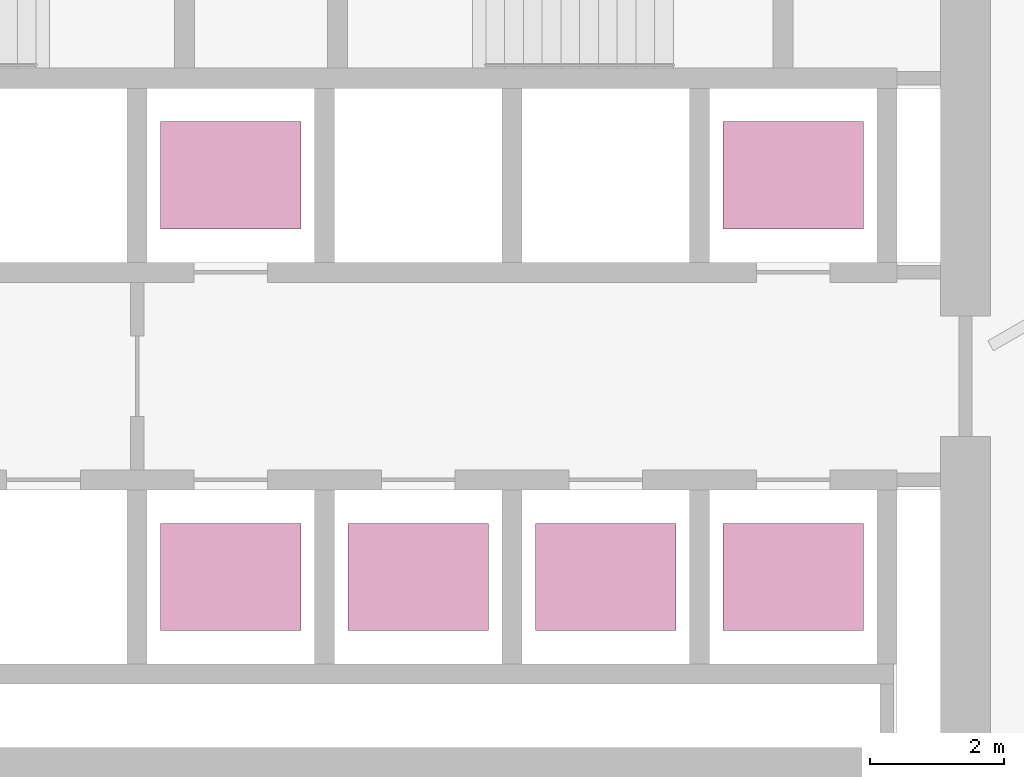
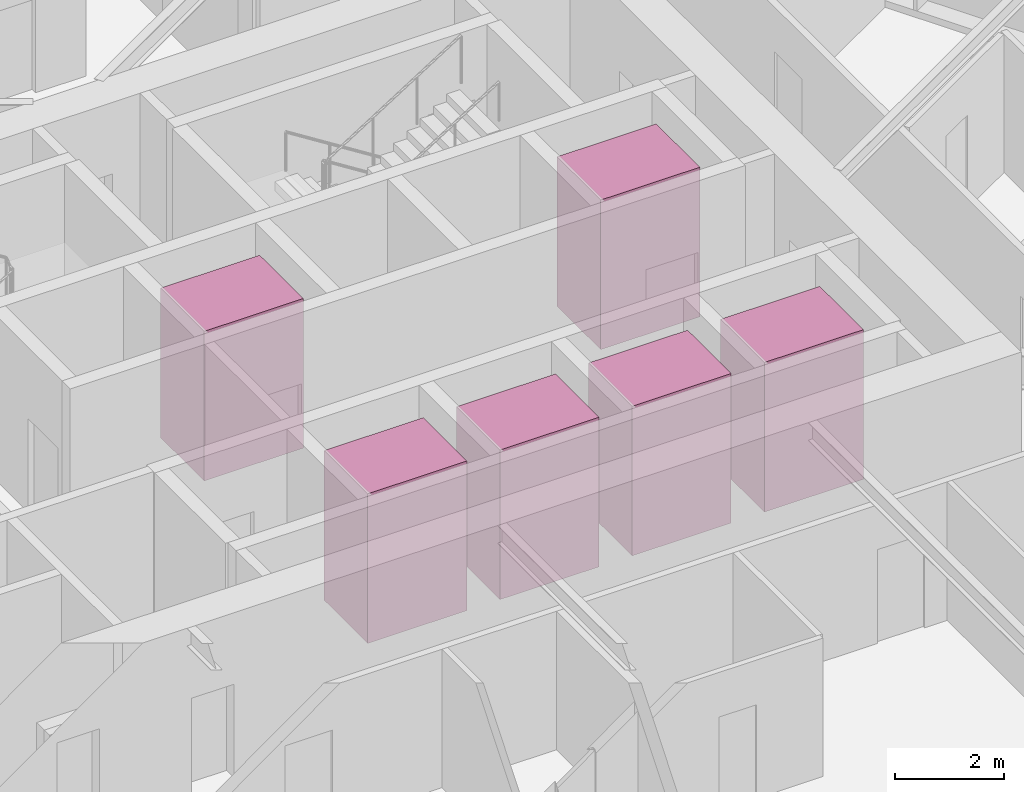
# One storey, part 16 of 16: 6 transport elements.
"""IFC4 building model written with IfcOpenShell, lengths in metres."""

from ifc_helpers import new_model, si_unit, direction, frame, origin, origin_2d, place, context, subcontext, project, spatial, rectangle, extrude, material, type_object, element, save


model = new_model("IFC4")

# Units and contexts
model_context = context("Model", 3, precision=1e-05, world=origin(), true_north=direction((0.0, 1.0)))
body_context = subcontext(model_context, "Body", "Model", "MODEL_VIEW")
ifc_project = project(units=[si_unit("LENGTHUNIT", "METRE"), si_unit("AREAUNIT", "SQUARE_METRE"), si_unit("VOLUMEUNIT", "CUBIC_METRE"), si_unit("PLANEANGLEUNIT", "RADIAN"), si_unit("MASSUNIT", "GRAM", prefix="KILO")], contexts=[model_context])

# Site, building, storey
site_placement = place(None, origin())
site = spatial("IfcSite", under=ifc_project, at=site_placement, CompositionType="ELEMENT")
building_placement = place(site_placement, origin())
building = spatial("IfcBuilding", under=site, at=building_placement, Name="Firuza Gate Tower and Library", CompositionType="ELEMENT")
storey_placement = place(building_placement, frame((0.0, 0.0, 229.89990234375)))
storey = spatial("IfcBuildingStorey", under=building, at=storey_placement, Name="L54", CompositionType="ELEMENT", Elevation=229.89990234375)

# Transport elements
ifc_material = material(Name="Stainless steel and glass", Category="steel")
transport_element_type = type_object("IfcTransportElementType", Name="Mid-rise lift car 2100x1600", PredefinedType="ELEVATOR", material=ifc_material)
for number, where, z_axis, x_axis, name in (
    (1, (74.64990234375, 70.300048828125, 0.0), (0.0, 0.0, 1.0), (1.0, 0.0, 0.0), "Mid-rise lift MR1"),
    (2, (77.449951171875, 70.300048828125, 0.0), (0.0, 0.0, 1.0), (1.0, 0.0, 0.0), "Mid-rise lift MR2"),
    (3, (80.25, 70.300048828125, 0.0), (0.0, 0.0, 1.0), (1.0, 0.0, 0.0), "Mid-rise lift MR3"),
    (4, (74.64990234375, 76.300048828125, 0.0), (0.0, 0.0, 1.0), (1.0, 0.0, 0.0), "Mid-rise lift MR4"),
    (5, (83.050048828125, 70.300048828125, 0.0), (0.0, 0.0, 1.0), (1.0, 0.0, 0.0), "Mid-rise lift MR5"),
    (6, (83.050048828125, 76.300048828125, 0.0), (0.0, 0.0, 1.0), (1.0, 0.0, 0.0), "Mid-rise lift MR6"),
):
    element("IfcTransportElement", number, at=place(storey_placement, frame(where, z_axis=z_axis, x_axis=x_axis)), inside=storey, type_object=transport_element_type, Name=name, PredefinedType="ELEVATOR", context=body_context, shape_type="SweptSolid", body=[
        extrude(rectangle(XDim=2.10009765625, YDim=1.60009765625, at=origin_2d()), origin(), (0.0, 0.0, 1.0), 3.35009765625),
    ])

save(model, "model.ifc")
